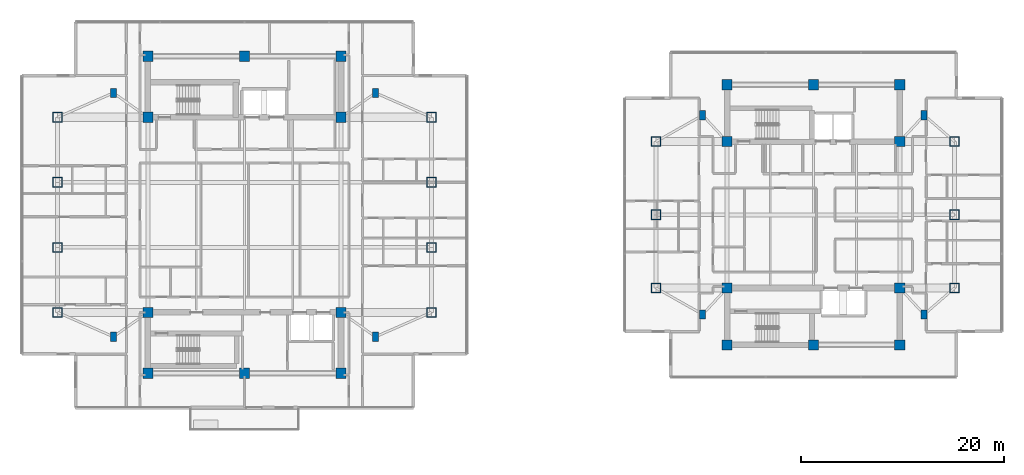
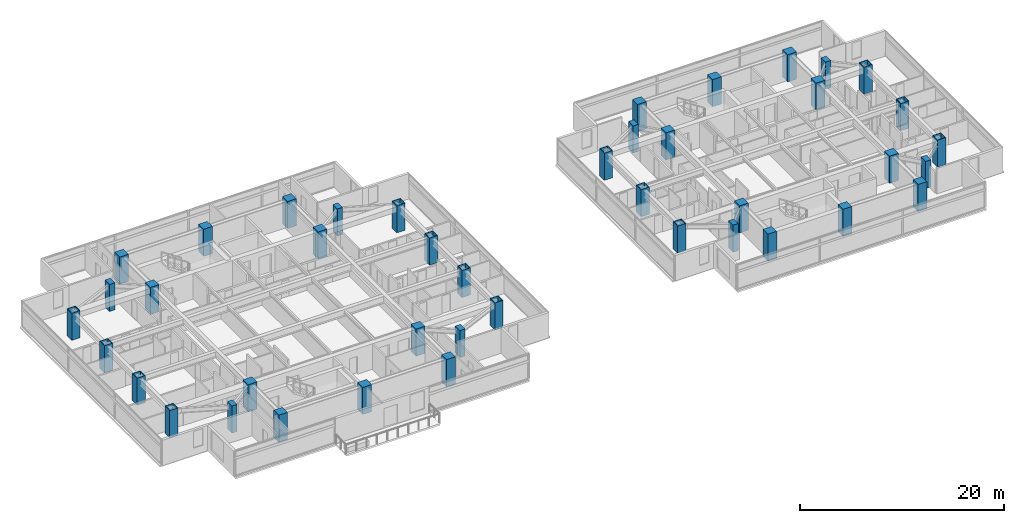
# One storey, part 1 of 25: 42 columns.
"""IFC4 building model written with IfcOpenShell, lengths in metres."""

from ifc_helpers import new_model, si_unit, direction, frame, origin, origin_2d, place, context, subcontext, project, spatial, rectangle, hollow_rectangle, extrude, material, material_profile, profile_set, type_object, element, save


model = new_model("IFC4")

# Units and contexts
model_context = context("Model", 3, precision=1e-05, world=origin(), true_north=direction((0.0, 1.0)))
body_context = subcontext(model_context, "Body", "Model", "MODEL_VIEW")
ifc_project = project(units=[si_unit("LENGTHUNIT", "METRE"), si_unit("AREAUNIT", "SQUARE_METRE"), si_unit("VOLUMEUNIT", "CUBIC_METRE"), si_unit("PLANEANGLEUNIT", "RADIAN"), si_unit("MASSUNIT", "GRAM", prefix="KILO")], contexts=[model_context])

# Site, building, storey
site_placement = place(None, origin())
site = spatial("IfcSite", under=ifc_project, at=site_placement, CompositionType="ELEMENT")
building_placement = place(site_placement, origin())
building = spatial("IfcBuilding", under=site, at=building_placement, Name="Mirazonda Arch Towers", CompositionType="ELEMENT")
storey_placement = place(building_placement, frame((0.0, 0.0, 180.39990234375)))
storey = spatial("IfcBuildingStorey", under=building, at=storey_placement, Name="L51", CompositionType="ELEMENT", Elevation=180.39990234375)

# Columns
ifc_material_1 = material(Name="Concrete C50/60", Category="concrete")
ifc_material_profile_1 = material_profile(ifc_material_1, rectangle(XDim=1.0, YDim=1.0, at=origin_2d()), Name="RC1000x1000")
ifc_profile_set_1 = profile_set([ifc_material_profile_1], Name="Concrete C50/60")
column_type_1 = type_object("IfcColumnType", Name="COL-INT-RC1000x1000", PredefinedType="COLUMN", material=ifc_profile_set_1)
for number, where, z_axis, x_axis, name in (
    (1, (11.0, 12.39990234375, 0.0), (0.0, 0.0, 1.0), (1.0, 0.0, 0.0), "L51 T1 Core Column 01"),
    (2, (20.5, 12.39990234375, 0.0), (0.0, 0.0, 1.0), (1.0, 0.0, 0.0), "L51 T1 Core Column 02"),
    (3, (30.0, 12.39990234375, 0.0), (0.0, 0.0, 1.0), (1.0, 0.0, 0.0), "L51 T1 Core Column 03"),
    (4, (11.0, 18.39990234375, 0.0), (0.0, 0.0, 1.0), (1.0, 0.0, 0.0), "L51 T1 Core Column 04"),
    (5, (30.0, 18.39990234375, 0.0), (0.0, 0.0, 1.0), (1.0, 0.0, 0.0), "L51 T1 Core Column 05"),
    (6, (11.0, 37.60009765625, 0.0), (0.0, 0.0, 1.0), (1.0, 0.0, 0.0), "L51 T1 Core Column 06"),
    (7, (30.0, 37.60009765625, 0.0), (0.0, 0.0, 1.0), (1.0, 0.0, 0.0), "L51 T1 Core Column 07"),
    (8, (11.0, 43.60009765625, 0.0), (0.0, 0.0, 1.0), (1.0, 0.0, 0.0), "L51 T1 Core Column 08"),
    (9, (20.5, 43.60009765625, 0.0), (0.0, 0.0, 1.0), (1.0, 0.0, 0.0), "L51 T1 Core Column 09"),
    (10, (30.0, 43.60009765625, 0.0), (0.0, 0.0, 1.0), (1.0, 0.0, 0.0), "L51 T1 Core Column 10"),
    (11, (68.0, 15.199951171875, 0.0), (0.0, 0.0, 1.0), (1.0, 0.0, 0.0), "L51 T2 Core Column 01"),
    (12, (76.5, 15.199951171875, 0.0), (0.0, 0.0, 1.0), (1.0, 0.0, 0.0), "L51 T2 Core Column 02"),
    (13, (85.0, 15.199951171875, 0.0), (0.0, 0.0, 1.0), (1.0, 0.0, 0.0), "L51 T2 Core Column 03"),
    (14, (68.0, 20.800048828125, 0.0), (0.0, 0.0, 1.0), (1.0, 0.0, 0.0), "L51 T2 Core Column 04"),
    (15, (85.0, 20.800048828125, 0.0), (0.0, 0.0, 1.0), (1.0, 0.0, 0.0), "L51 T2 Core Column 05"),
    (16, (68.0, 35.199951171875, 0.0), (0.0, 0.0, 1.0), (1.0, 0.0, 0.0), "L51 T2 Core Column 06"),
    (17, (85.0, 35.199951171875, 0.0), (0.0, 0.0, 1.0), (1.0, 0.0, 0.0), "L51 T2 Core Column 07"),
    (18, (68.0, 40.800048828125, 0.0), (0.0, 0.0, 1.0), (1.0, 0.0, 0.0), "L51 T2 Core Column 08"),
    (19, (76.5, 40.800048828125, 0.0), (0.0, 0.0, 1.0), (1.0, 0.0, 0.0), "L51 T2 Core Column 09"),
    (20, (85.0, 40.800048828125, 0.0), (0.0, 0.0, 1.0), (1.0, 0.0, 0.0), "L51 T2 Core Column 10"),
):
    element("IfcColumn", number, at=place(storey_placement, frame(where, z_axis=z_axis, x_axis=x_axis)), inside=storey, type_object=column_type_1, Name=name, PredefinedType="COLUMN", context=body_context, shape_type="SweptSolid", body=[
        extrude(rectangle(XDim=1.0, YDim=1.0, at=origin_2d()), origin(), (0.0, 0.0, 1.0), 3.25),
    ])
ifc_material_2 = material(Name="Steel ASTM A572 Grade 50", Category="steel")
ifc_material_profile_2 = material_profile(ifc_material_2, hollow_rectangle(XDim=0.949951171875, YDim=0.949951171875, WallThickness=0.050048828125, at=origin_2d()), Name="BOX950x950x50")
ifc_profile_set_2 = profile_set([ifc_material_profile_2], Name="Steel ASTM A572 Grade 50")
column_type_2 = type_object("IfcColumnType", Name="MCOL-EXT-BOX950x950x50", PredefinedType="COLUMN", material=ifc_profile_set_2)
for number, where, z_axis, x_axis, name in (
    (21, (2.10009765625, 18.39990234375, 0.0), (0.0, 0.0, 1.0), (1.0, 0.0, 0.0), "L51 T1 Composite Mega-Column 01"),
    (22, (2.10009765625, 24.800048828125, 0.0), (0.0, 0.0, 1.0), (1.0, 0.0, 0.0), "L51 T1 Composite Mega-Column 02"),
    (23, (2.10009765625, 31.199951171875, 0.0), (0.0, 0.0, 1.0), (1.0, 0.0, 0.0), "L51 T1 Composite Mega-Column 03"),
    (24, (2.10009765625, 37.60009765625, 0.0), (0.0, 0.0, 1.0), (1.0, 0.0, 0.0), "L51 T1 Composite Mega-Column 04"),
    (25, (38.89990234375, 18.39990234375, 0.0), (0.0, 0.0, 1.0), (1.0, 0.0, 0.0), "L51 T1 Composite Mega-Column 05"),
    (26, (38.89990234375, 24.800048828125, 0.0), (0.0, 0.0, 1.0), (1.0, 0.0, 0.0), "L51 T1 Composite Mega-Column 06"),
    (27, (38.89990234375, 31.199951171875, 0.0), (0.0, 0.0, 1.0), (1.0, 0.0, 0.0), "L51 T1 Composite Mega-Column 07"),
    (28, (38.89990234375, 37.60009765625, 0.0), (0.0, 0.0, 1.0), (1.0, 0.0, 0.0), "L51 T1 Composite Mega-Column 08"),
    (29, (61.0, 20.800048828125, 0.0), (0.0, 0.0, 1.0), (1.0, 0.0, 0.0), "L51 T2 Composite Mega-Column 01"),
    (30, (61.0, 28.0, 0.0), (0.0, 0.0, 1.0), (1.0, 0.0, 0.0), "L51 T2 Composite Mega-Column 02"),
    (31, (61.0, 35.199951171875, 0.0), (0.0, 0.0, 1.0), (1.0, 0.0, 0.0), "L51 T2 Composite Mega-Column 03"),
    (32, (90.39990234375, 20.800048828125, 0.0), (0.0, 0.0, 1.0), (1.0, 0.0, 0.0), "L51 T2 Composite Mega-Column 04"),
    (33, (90.39990234375, 28.0, 0.0), (0.0, 0.0, 1.0), (1.0, 0.0, 0.0), "L51 T2 Composite Mega-Column 05"),
    (34, (90.39990234375, 35.199951171875, 0.0), (0.0, 0.0, 1.0), (1.0, 0.0, 0.0), "L51 T2 Composite Mega-Column 06"),
):
    element("IfcColumn", number, at=place(storey_placement, frame(where, z_axis=z_axis, x_axis=x_axis)), inside=storey, type_object=column_type_2, Name=name, PredefinedType="COLUMN", context=body_context, shape_type="SweptSolid", body=[
        extrude(hollow_rectangle(XDim=0.949951171875, YDim=0.949951171875, WallThickness=0.050048828125, at=origin_2d()), origin(), (0.0, 0.0, 1.0), 3.25),
    ])
ifc_material_profile_3 = material_profile(ifc_material_1, rectangle(XDim=0.60009765625, YDim=0.89990234375, at=origin_2d()), Name="RC900x600")
ifc_profile_set_3 = profile_set([ifc_material_profile_3], Name="Concrete C50/60")
column_type_3 = type_object("IfcColumnType", Name="PIL-EXT-RC900x600", PredefinedType="PILASTER", material=ifc_profile_set_3)
for number, where, z_axis, x_axis, name in (
    (35, (7.60009765625, 16.0, 0.0), (0.0, 0.0, 1.0), (1.0, 0.0, 0.0), "L51 T1 Corner Pilaster 01"),
    (36, (33.39990234375, 16.0, 0.0), (0.0, 0.0, 1.0), (1.0, 0.0, 0.0), "L51 T1 Corner Pilaster 02"),
    (37, (7.60009765625, 40.0, 0.0), (0.0, 0.0, 1.0), (1.0, 0.0, 0.0), "L51 T1 Corner Pilaster 03"),
    (38, (33.39990234375, 40.0, 0.0), (0.0, 0.0, 1.0), (1.0, 0.0, 0.0), "L51 T1 Corner Pilaster 04"),
    (39, (65.60009765625, 18.199951171875, 0.0), (0.0, 0.0, 1.0), (1.0, 0.0, 0.0), "L51 T2 Corner Pilaster 01"),
    (40, (87.39990234375, 18.199951171875, 0.0), (0.0, 0.0, 1.0), (1.0, 0.0, 0.0), "L51 T2 Corner Pilaster 02"),
    (41, (65.60009765625, 37.800048828125, 0.0), (0.0, 0.0, 1.0), (1.0, 0.0, 0.0), "L51 T2 Corner Pilaster 03"),
    (42, (87.39990234375, 37.800048828125, 0.0), (0.0, 0.0, 1.0), (1.0, 0.0, 0.0), "L51 T2 Corner Pilaster 04"),
):
    element("IfcColumn", number, at=place(storey_placement, frame(where, z_axis=z_axis, x_axis=x_axis)), inside=storey, type_object=column_type_3, Name=name, PredefinedType="PILASTER", context=body_context, shape_type="SweptSolid", body=[
        extrude(rectangle(XDim=0.60009765625, YDim=0.89990234375, at=origin_2d()), origin(), (0.0, 0.0, 1.0), 3.25),
    ])

save(model, "model.ifc")
